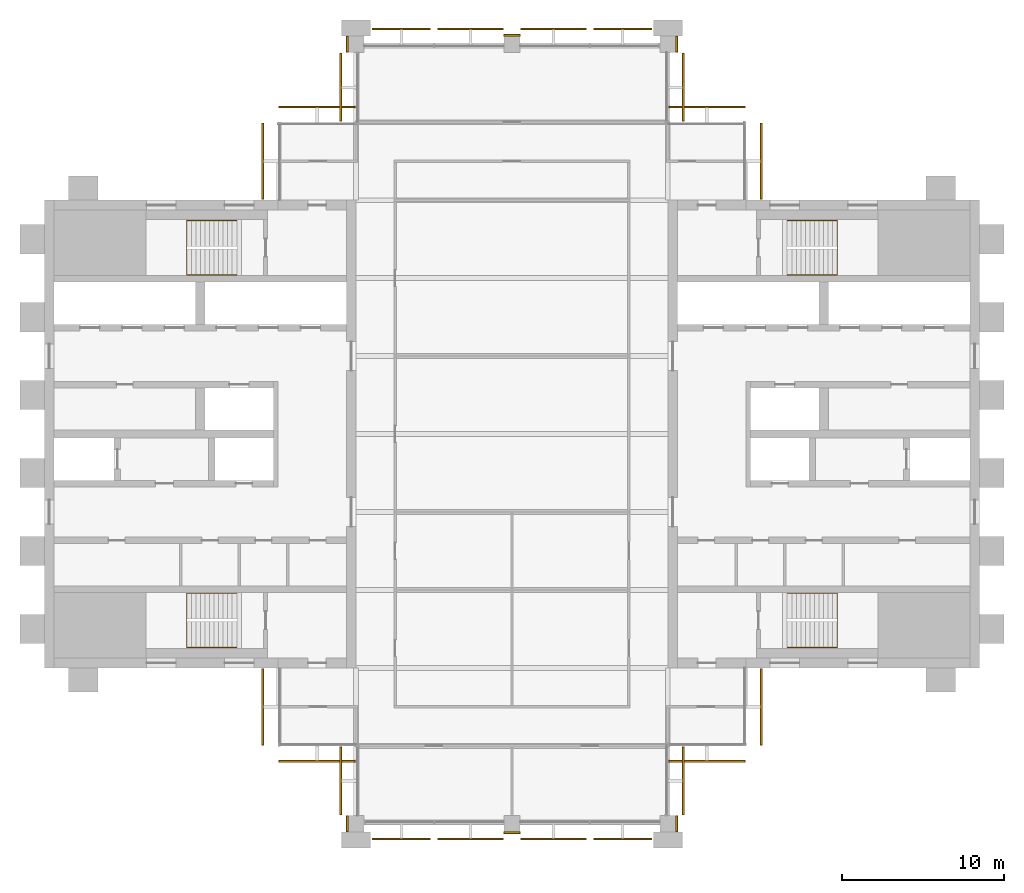
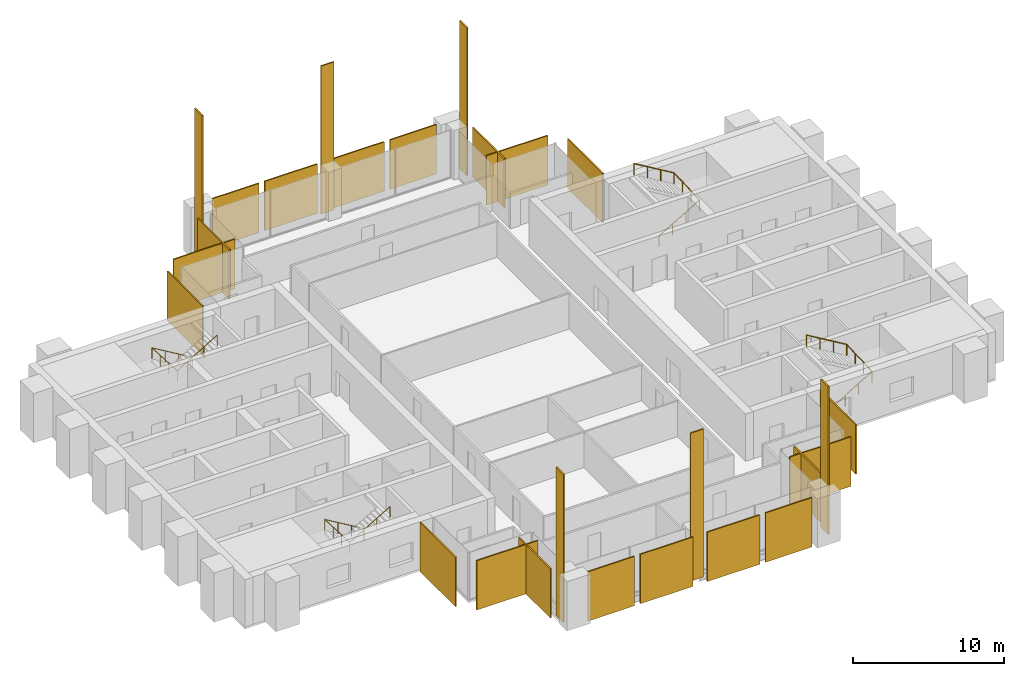
# One storey, part 12 of 12: 26 coverings, 4 railings.
"""IFC4 building model written with IfcOpenShell, lengths in metres."""

from ifc_helpers import new_model, si_unit, direction, frame, origin, origin_2d, place, context, subcontext, project, spatial, polyline, rectangle, circle, outline, extrude, material, layer, layer_set, type_object, element, save


model = new_model("IFC4")

# Units and contexts
model_context = context("Model", 3, precision=1e-05, world=origin(), true_north=direction((0.0, 1.0)))
body_context = subcontext(model_context, "Body", "Model", "MODEL_VIEW")
ifc_project = project(units=[si_unit("LENGTHUNIT", "METRE"), si_unit("AREAUNIT", "SQUARE_METRE"), si_unit("VOLUMEUNIT", "CUBIC_METRE"), si_unit("PLANEANGLEUNIT", "RADIAN"), si_unit("MASSUNIT", "GRAM", prefix="KILO")], contexts=[model_context])

# Site, building, storey
site_placement = place(None, origin())
site = spatial("IfcSite", under=ifc_project, at=site_placement, CompositionType="ELEMENT")
building_placement = place(site_placement, origin())
building = spatial("IfcBuilding", under=site, at=building_placement, Name="Baori Bourse Tower", CompositionType="ELEMENT")
storey_placement = place(building_placement, frame((0.0, 0.0, 342.300048828125)))
storey = spatial("IfcBuildingStorey", under=building, at=storey_placement, Name="L76", CompositionType="ELEMENT", Elevation=342.300048828125)

# Railings
ifc_material_1 = material(Name="Powder-coated steel balustrade", Category="steel")
railing_type = type_object("IfcRailingType", Name="Core stair handrail", PredefinedType="HANDRAIL", material=ifc_material_1)
railing_1_placement = place(storey_placement, frame((11.85009765625, 14.199951171875, 0.16650390625)))
element("IfcRailing", 1, at=railing_1_placement, inside=storey, type_object=railing_type, Name="L76 ST1 stair handrail 1", PredefinedType="HANDRAIL", context=body_context, shape_type="SweptSolid", body=[
    extrude(circle(Radius=0.02392578125, at=origin_2d()), frame((0.0, 0.0, 0.8759765625), z_axis=(-0.85927862911, 0.0, 0.511507807912), x_axis=(0.0, -1.0, 0.0)), (0.0, 0.0, 1.0), 3.58447265625),
    extrude(circle(Radius=0.02392578125, at=origin_2d()), frame((-3.080078125, 0.0, 2.70947265625), z_axis=(0.0, -0.998766999029, 0.049643545903), x_axis=(1.0, 0.0, 0.0)), (0.0, 0.0, 1.0), 3.35400390625),
    extrude(circle(Radius=0.02392578125, at=origin_2d()), frame((-3.080078125, -3.349853515625, 2.8759765625), z_axis=(0.85927862911, 0.0, 0.511507807912), x_axis=(0.0, 1.0, 0.0)), (0.0, 0.0, 1.0), 3.58447265625),
    extrude(circle(Radius=0.02099609375, at=origin_2d()), origin(), (0.0, 0.0, 1.0), 0.851806640625),
    extrude(circle(Radius=0.02099609375, at=origin_2d()), frame((-1.026611328125, 0.0, 0.611083984375)), (0.0, 0.0, 1.0), 0.851806640625),
    extrude(circle(Radius=0.02099609375, at=origin_2d()), frame((-2.053466796875, 0.0, 1.222412109375)), (0.0, 0.0, 1.0), 0.851806640625),
    extrude(circle(Radius=0.02099609375, at=origin_2d()), frame((-3.080078125, 0.0, 1.83349609375)), (0.0, 0.0, 1.0), 0.851806640625),
    extrude(circle(Radius=0.02099609375, at=origin_2d()), frame((-3.080078125, -1.11669921875, 1.888916015625)), (0.0, 0.0, 1.0), 0.851806640625),
    extrude(circle(Radius=0.02099609375, at=origin_2d()), frame((-3.080078125, -2.233154296875, 1.944580078125)), (0.0, 0.0, 1.0), 0.851806640625),
    extrude(circle(Radius=0.02099609375, at=origin_2d()), frame((-3.080078125, -3.349853515625, 2.0)), (0.0, 0.0, 1.0), 0.851806640625),
    extrude(circle(Radius=0.02099609375, at=origin_2d()), frame((-2.053466796875, -3.349853515625, 2.611083984375)), (0.0, 0.0, 1.0), 0.851806640625),
    extrude(circle(Radius=0.02099609375, at=origin_2d()), frame((-1.026611328125, -3.349853515625, 3.222412109375)), (0.0, 0.0, 1.0), 0.851806640625),
    extrude(circle(Radius=0.02099609375, at=origin_2d()), frame((0.0, -3.349853515625, 3.83349609375)), (0.0, 0.0, 1.0), 0.851806640625),
])
railing_2_placement = place(storey_placement, frame((11.85009765625, 37.14990234375, 0.16650390625)))
element("IfcRailing", 2, at=railing_2_placement, inside=storey, type_object=railing_type, Name="L76 ST2 stair handrail 1", PredefinedType="HANDRAIL", context=body_context, shape_type="SweptSolid", body=[
    extrude(circle(Radius=0.02392578125, at=origin_2d()), frame((0.0, 0.0, 0.8759765625), z_axis=(-0.85927862911, 0.0, 0.511507807912), x_axis=(0.0, -1.0, 0.0)), (0.0, 0.0, 1.0), 3.58447265625),
    extrude(circle(Radius=0.02392578125, at=origin_2d()), frame((-3.080078125, 0.0, 2.70947265625), z_axis=(0.0, -0.998766999029, 0.049643545903), x_axis=(1.0, 0.0, 0.0)), (0.0, 0.0, 1.0), 3.35400390625),
    extrude(circle(Radius=0.02392578125, at=origin_2d()), frame((-3.080078125, -3.349853515625, 2.8759765625), z_axis=(0.85927862911, 0.0, 0.511507807912), x_axis=(0.0, 1.0, 0.0)), (0.0, 0.0, 1.0), 3.58447265625),
    extrude(circle(Radius=0.02099609375, at=origin_2d()), origin(), (0.0, 0.0, 1.0), 0.851806640625),
    extrude(circle(Radius=0.02099609375, at=origin_2d()), frame((-1.026611328125, 0.0, 0.611083984375)), (0.0, 0.0, 1.0), 0.851806640625),
    extrude(circle(Radius=0.02099609375, at=origin_2d()), frame((-2.053466796875, 0.0, 1.222412109375)), (0.0, 0.0, 1.0), 0.851806640625),
    extrude(circle(Radius=0.02099609375, at=origin_2d()), frame((-3.080078125, 0.0, 1.83349609375)), (0.0, 0.0, 1.0), 0.851806640625),
    extrude(circle(Radius=0.02099609375, at=origin_2d()), frame((-3.080078125, -1.11669921875, 1.888916015625)), (0.0, 0.0, 1.0), 0.851806640625),
    extrude(circle(Radius=0.02099609375, at=origin_2d()), frame((-3.080078125, -2.233154296875, 1.944580078125)), (0.0, 0.0, 1.0), 0.851806640625),
    extrude(circle(Radius=0.02099609375, at=origin_2d()), frame((-3.080078125, -3.349853515625, 2.0)), (0.0, 0.0, 1.0), 0.851806640625),
    extrude(circle(Radius=0.02099609375, at=origin_2d()), frame((-2.053466796875, -3.349853515625, 2.611083984375)), (0.0, 0.0, 1.0), 0.851806640625),
    extrude(circle(Radius=0.02099609375, at=origin_2d()), frame((-1.026611328125, -3.349853515625, 3.222412109375)), (0.0, 0.0, 1.0), 0.851806640625),
    extrude(circle(Radius=0.02099609375, at=origin_2d()), frame((0.0, -3.349853515625, 3.83349609375)), (0.0, 0.0, 1.0), 0.851806640625),
])
railing_3_placement = place(storey_placement, frame((45.75, 10.85009765625, 0.16650390625)))
element("IfcRailing", 3, at=railing_3_placement, inside=storey, type_object=railing_type, Name="L76 ST3 stair handrail 1", PredefinedType="HANDRAIL", context=body_context, shape_type="SweptSolid", body=[
    extrude(circle(Radius=0.02392578125, at=origin_2d()), frame((0.0, 0.0, 0.8759765625), z_axis=(0.85927862911, 0.0, 0.511507807912), x_axis=(0.0, 1.0, 0.0)), (0.0, 0.0, 1.0), 3.58447265625),
    extrude(circle(Radius=0.02392578125, at=origin_2d()), frame((3.080078125, 0.0, 2.70947265625), z_axis=(0.0, 0.998766999029, 0.049643545903), x_axis=(-1.0, 0.0, 0.0)), (0.0, 0.0, 1.0), 3.35400390625),
    extrude(circle(Radius=0.02392578125, at=origin_2d()), frame((3.080078125, 3.349853515625, 2.8759765625), z_axis=(-0.85927862911, 0.0, 0.511507807912), x_axis=(0.0, -1.0, 0.0)), (0.0, 0.0, 1.0), 3.58447265625),
    extrude(circle(Radius=0.02099609375, at=origin_2d()), origin(), (0.0, 0.0, 1.0), 0.851806640625),
    extrude(circle(Radius=0.02099609375, at=origin_2d()), frame((1.026611328125, 0.0, 0.611083984375)), (0.0, 0.0, 1.0), 0.851806640625),
    extrude(circle(Radius=0.02099609375, at=origin_2d()), frame((2.053466796875, 0.0, 1.222412109375)), (0.0, 0.0, 1.0), 0.851806640625),
    extrude(circle(Radius=0.02099609375, at=origin_2d()), frame((3.080078125, 0.0, 1.83349609375)), (0.0, 0.0, 1.0), 0.851806640625),
    extrude(circle(Radius=0.02099609375, at=origin_2d()), frame((3.080078125, 1.11669921875, 1.888916015625)), (0.0, 0.0, 1.0), 0.851806640625),
    extrude(circle(Radius=0.02099609375, at=origin_2d()), frame((3.080078125, 2.233154296875, 1.944580078125)), (0.0, 0.0, 1.0), 0.851806640625),
    extrude(circle(Radius=0.02099609375, at=origin_2d()), frame((3.080078125, 3.349853515625, 2.0)), (0.0, 0.0, 1.0), 0.851806640625),
    extrude(circle(Radius=0.02099609375, at=origin_2d()), frame((2.053466796875, 3.349853515625, 2.611083984375)), (0.0, 0.0, 1.0), 0.851806640625),
    extrude(circle(Radius=0.02099609375, at=origin_2d()), frame((1.026611328125, 3.349853515625, 3.222412109375)), (0.0, 0.0, 1.0), 0.851806640625),
    extrude(circle(Radius=0.02099609375, at=origin_2d()), frame((0.0, 3.349853515625, 3.83349609375)), (0.0, 0.0, 1.0), 0.851806640625),
])
railing_4_placement = place(storey_placement, frame((45.75, 33.800048828125, 0.16650390625)))
element("IfcRailing", 4, at=railing_4_placement, inside=storey, type_object=railing_type, Name="L76 ST4 stair handrail 1", PredefinedType="HANDRAIL", context=body_context, shape_type="SweptSolid", body=[
    extrude(circle(Radius=0.02392578125, at=origin_2d()), frame((0.0, 0.0, 0.8759765625), z_axis=(0.85927862911, 0.0, 0.511507807912), x_axis=(0.0, 1.0, 0.0)), (0.0, 0.0, 1.0), 3.58447265625),
    extrude(circle(Radius=0.02392578125, at=origin_2d()), frame((3.080078125, 0.0, 2.70947265625), z_axis=(0.0, 0.998766999029, 0.049643545903), x_axis=(-1.0, 0.0, 0.0)), (0.0, 0.0, 1.0), 3.35400390625),
    extrude(circle(Radius=0.02392578125, at=origin_2d()), frame((3.080078125, 3.349853515625, 2.8759765625), z_axis=(-0.85927862911, 0.0, 0.511507807912), x_axis=(0.0, -1.0, 0.0)), (0.0, 0.0, 1.0), 3.58447265625),
    extrude(circle(Radius=0.02099609375, at=origin_2d()), origin(), (0.0, 0.0, 1.0), 0.851806640625),
    extrude(circle(Radius=0.02099609375, at=origin_2d()), frame((1.026611328125, 0.0, 0.611083984375)), (0.0, 0.0, 1.0), 0.851806640625),
    extrude(circle(Radius=0.02099609375, at=origin_2d()), frame((2.053466796875, 0.0, 1.222412109375)), (0.0, 0.0, 1.0), 0.851806640625),
    extrude(circle(Radius=0.02099609375, at=origin_2d()), frame((3.080078125, 0.0, 1.83349609375)), (0.0, 0.0, 1.0), 0.851806640625),
    extrude(circle(Radius=0.02099609375, at=origin_2d()), frame((3.080078125, 1.11669921875, 1.888916015625)), (0.0, 0.0, 1.0), 0.851806640625),
    extrude(circle(Radius=0.02099609375, at=origin_2d()), frame((3.080078125, 2.233154296875, 1.944580078125)), (0.0, 0.0, 1.0), 0.851806640625),
    extrude(circle(Radius=0.02099609375, at=origin_2d()), frame((3.080078125, 3.349853515625, 2.0)), (0.0, 0.0, 1.0), 0.851806640625),
    extrude(circle(Radius=0.02099609375, at=origin_2d()), frame((2.053466796875, 3.349853515625, 2.611083984375)), (0.0, 0.0, 1.0), 0.851806640625),
    extrude(circle(Radius=0.02099609375, at=origin_2d()), frame((1.026611328125, 3.349853515625, 3.222412109375)), (0.0, 0.0, 1.0), 0.851806640625),
    extrude(circle(Radius=0.02099609375, at=origin_2d()), frame((0.0, 3.349853515625, 3.83349609375)), (0.0, 0.0, 1.0), 0.851806640625),
])

# Coverings
ifc_material_2 = material(Name="Pale anodised aluminium", Category="aluminium")
ifc_layer_1 = layer(ifc_material_2, 0.10009765625)
ifc_layer_set_1 = layer_set([ifc_layer_1], Name="OS3 Outer skin screen panel")
covering_type_1 = type_object("IfcCoveringType", Name="OS3 Outer skin screen panel", PredefinedType="CLADDING", material=ifc_layer_set_1)
covering_1_placement = place(storey_placement, frame((0.0, 0.0, -0.16015625)))
element("IfcCovering", 5, at=covering_1_placement, inside=storey, type_object=covering_type_1, Name="Outer skin screen L76 1", PredefinedType="CLADDING", context=body_context, shape_type="SweptSolid", body=[
    extrude(outline(polyline([(44.10009765625, 43.14990234375), (44.10009765625, 38.449951171875), (44.199951171875, 38.449951171875), (44.199951171875, 43.14990234375), (44.10009765625, 43.14990234375)])), origin(), (0.0, 0.0, 1.0), 4.0),
])
covering_2_placement = place(storey_placement, frame((0.0, 0.0, -0.16015625)))
element("IfcCovering", 6, at=covering_2_placement, inside=storey, type_object=covering_type_1, Name="Outer skin screen L76 2", PredefinedType="CLADDING", context=body_context, shape_type="SweptSolid", body=[
    extrude(outline(polyline([(38.449951171875, 44.10009765625), (43.14990234375, 44.10009765625), (43.14990234375, 44.199951171875), (38.449951171875, 44.199951171875), (38.449951171875, 44.10009765625)])), origin(), (0.0, 0.0, 1.0), 4.0),
])
covering_3_placement = place(storey_placement, frame((0.0, 0.0, -0.16015625)))
element("IfcCovering", 7, at=covering_3_placement, inside=storey, type_object=covering_type_1, Name="Outer skin screen L76 3", PredefinedType="CLADDING", context=body_context, shape_type="SweptSolid", body=[
    extrude(outline(polyline([(39.300048828125, 47.449951171875), (39.300048828125, 43.25), (39.39990234375, 43.25), (39.39990234375, 47.449951171875), (39.300048828125, 47.449951171875)])), origin(), (0.0, 0.0, 1.0), 4.0),
])
covering_4_placement = place(storey_placement, frame((0.0, 0.0, -0.16015625)))
element("IfcCovering", 8, at=covering_4_placement, inside=storey, type_object=covering_type_1, Name="Outer skin screen L76 4", PredefinedType="CLADDING", context=body_context, shape_type="SweptSolid", body=[
    extrude(outline(polyline([(33.824951171875, 48.89990234375), (37.39990234375, 48.89990234375), (37.39990234375, 49.0), (33.824951171875, 49.0), (33.824951171875, 48.89990234375)])), origin(), (0.0, 0.0, 1.0), 4.0),
])
covering_5_placement = place(storey_placement, frame((0.0, 0.0, -0.16015625)))
element("IfcCovering", 9, at=covering_5_placement, inside=storey, type_object=covering_type_1, Name="Outer skin screen L76 5", PredefinedType="CLADDING", context=body_context, shape_type="SweptSolid", body=[
    extrude(outline(polyline([(29.35009765625, 48.89990234375), (33.375, 48.89990234375), (33.375, 49.0), (29.35009765625, 49.0), (29.35009765625, 48.89990234375)])), origin(), (0.0, 0.0, 1.0), 4.0),
])
covering_6_placement = place(storey_placement, frame((0.0, 0.0, -0.16015625)))
element("IfcCovering", 10, at=covering_6_placement, inside=storey, type_object=covering_type_1, Name="Outer skin screen L76 6", PredefinedType="CLADDING", context=body_context, shape_type="SweptSolid", body=[
    extrude(outline(polyline([(24.22509765625, 48.89990234375), (28.25, 48.89990234375), (28.25, 49.0), (24.22509765625, 49.0), (24.22509765625, 48.89990234375)])), origin(), (0.0, 0.0, 1.0), 4.0),
])
covering_7_placement = place(storey_placement, frame((0.0, 0.0, -0.16015625)))
element("IfcCovering", 11, at=covering_7_placement, inside=storey, type_object=covering_type_1, Name="Outer skin screen L76 7", PredefinedType="CLADDING", context=body_context, shape_type="SweptSolid", body=[
    extrude(outline(polyline([(20.199951171875, 48.89990234375), (23.77490234375, 48.89990234375), (23.77490234375, 49.0), (20.199951171875, 49.0), (20.199951171875, 48.89990234375)])), origin(), (0.0, 0.0, 1.0), 4.0),
])
covering_8_placement = place(storey_placement, frame((0.0, 0.0, -0.16015625)))
element("IfcCovering", 12, at=covering_8_placement, inside=storey, type_object=covering_type_1, Name="Outer skin screen L76 8", PredefinedType="CLADDING", context=body_context, shape_type="SweptSolid", body=[
    extrude(outline(polyline([(18.300048828125, 43.25), (18.300048828125, 47.449951171875), (18.199951171875, 47.449951171875), (18.199951171875, 43.25), (18.300048828125, 43.25)])), origin(), (0.0, 0.0, 1.0), 4.0),
])
covering_9_placement = place(storey_placement, frame((0.0, 0.0, -0.16015625)))
element("IfcCovering", 13, at=covering_9_placement, inside=storey, type_object=covering_type_1, Name="Outer skin screen L76 9", PredefinedType="CLADDING", context=body_context, shape_type="SweptSolid", body=[
    extrude(outline(polyline([(14.449951171875, 44.10009765625), (19.14990234375, 44.10009765625), (19.14990234375, 44.199951171875), (14.449951171875, 44.199951171875), (14.449951171875, 44.10009765625)])), origin(), (0.0, 0.0, 1.0), 4.0),
])
covering_10_placement = place(storey_placement, frame((0.0, 0.0, -0.16015625)))
element("IfcCovering", 14, at=covering_10_placement, inside=storey, type_object=covering_type_1, Name="Outer skin screen L76 10", PredefinedType="CLADDING", context=body_context, shape_type="SweptSolid", body=[
    extrude(outline(polyline([(13.5, 38.449951171875), (13.5, 43.14990234375), (13.39990234375, 43.14990234375), (13.39990234375, 38.449951171875), (13.5, 38.449951171875)])), origin(), (0.0, 0.0, 1.0), 4.0),
])
covering_11_placement = place(storey_placement, frame((0.0, 0.0, -0.16015625)))
element("IfcCovering", 15, at=covering_11_placement, inside=storey, type_object=covering_type_1, Name="Outer skin screen L76 11", PredefinedType="CLADDING", context=body_context, shape_type="SweptSolid", body=[
    extrude(outline(polyline([(13.5, 4.85009765625), (13.5, 9.550048828125), (13.39990234375, 9.550048828125), (13.39990234375, 4.85009765625), (13.5, 4.85009765625)])), origin(), (0.0, 0.0, 1.0), 4.0),
])
covering_12_placement = place(storey_placement, frame((0.0, 0.0, -0.16015625)))
element("IfcCovering", 16, at=covering_12_placement, inside=storey, type_object=covering_type_1, Name="Outer skin screen L76 12", PredefinedType="CLADDING", context=body_context, shape_type="SweptSolid", body=[
    extrude(outline(polyline([(19.14990234375, 3.89990234375), (14.449951171875, 3.89990234375), (14.449951171875, 3.800048828125), (19.14990234375, 3.800048828125), (19.14990234375, 3.89990234375)])), origin(), (0.0, 0.0, 1.0), 4.0),
])
covering_13_placement = place(storey_placement, frame((0.0, 0.0, -0.16015625)))
element("IfcCovering", 17, at=covering_13_placement, inside=storey, type_object=covering_type_1, Name="Outer skin screen L76 13", PredefinedType="CLADDING", context=body_context, shape_type="SweptSolid", body=[
    extrude(outline(polyline([(18.300048828125, 0.550048828125), (18.300048828125, 4.75), (18.199951171875, 4.75), (18.199951171875, 0.550048828125), (18.300048828125, 0.550048828125)])), origin(), (0.0, 0.0, 1.0), 4.0),
])
covering_14_placement = place(storey_placement, frame((0.0, 0.0, -0.16015625)))
element("IfcCovering", 18, at=covering_14_placement, inside=storey, type_object=covering_type_1, Name="Outer skin screen L76 14", PredefinedType="CLADDING", context=body_context, shape_type="SweptSolid", body=[
    extrude(outline(polyline([(23.77490234375, -0.89990234375), (20.199951171875, -0.89990234375), (20.199951171875, -1.0), (23.77490234375, -1.0), (23.77490234375, -0.89990234375)])), origin(), (0.0, 0.0, 1.0), 4.0),
])
covering_15_placement = place(storey_placement, frame((0.0, 0.0, -0.16015625)))
element("IfcCovering", 19, at=covering_15_placement, inside=storey, type_object=covering_type_1, Name="Outer skin screen L76 15", PredefinedType="CLADDING", context=body_context, shape_type="SweptSolid", body=[
    extrude(outline(polyline([(28.25, -0.89990234375), (24.22509765625, -0.89990234375), (24.22509765625, -1.0), (28.25, -1.0), (28.25, -0.89990234375)])), origin(), (0.0, 0.0, 1.0), 4.0),
])
covering_16_placement = place(storey_placement, frame((0.0, 0.0, -0.16015625)))
element("IfcCovering", 20, at=covering_16_placement, inside=storey, type_object=covering_type_1, Name="Outer skin screen L76 16", PredefinedType="CLADDING", context=body_context, shape_type="SweptSolid", body=[
    extrude(outline(polyline([(33.375, -0.89990234375), (29.35009765625, -0.89990234375), (29.35009765625, -1.0), (33.375, -1.0), (33.375, -0.89990234375)])), origin(), (0.0, 0.0, 1.0), 4.0),
])
covering_17_placement = place(storey_placement, frame((0.0, 0.0, -0.16015625)))
element("IfcCovering", 21, at=covering_17_placement, inside=storey, type_object=covering_type_1, Name="Outer skin screen L76 17", PredefinedType="CLADDING", context=body_context, shape_type="SweptSolid", body=[
    extrude(outline(polyline([(37.39990234375, -0.89990234375), (33.824951171875, -0.89990234375), (33.824951171875, -1.0), (37.39990234375, -1.0), (37.39990234375, -0.89990234375)])), origin(), (0.0, 0.0, 1.0), 4.0),
])
covering_18_placement = place(storey_placement, frame((0.0, 0.0, -0.16015625)))
element("IfcCovering", 22, at=covering_18_placement, inside=storey, type_object=covering_type_1, Name="Outer skin screen L76 18", PredefinedType="CLADDING", context=body_context, shape_type="SweptSolid", body=[
    extrude(outline(polyline([(39.300048828125, 4.75), (39.300048828125, 0.550048828125), (39.39990234375, 0.550048828125), (39.39990234375, 4.75), (39.300048828125, 4.75)])), origin(), (0.0, 0.0, 1.0), 4.0),
])
covering_19_placement = place(storey_placement, frame((0.0, 0.0, -0.16015625)))
element("IfcCovering", 23, at=covering_19_placement, inside=storey, type_object=covering_type_1, Name="Outer skin screen L76 19", PredefinedType="CLADDING", context=body_context, shape_type="SweptSolid", body=[
    extrude(outline(polyline([(43.14990234375, 3.89990234375), (38.449951171875, 3.89990234375), (38.449951171875, 3.800048828125), (43.14990234375, 3.800048828125), (43.14990234375, 3.89990234375)])), origin(), (0.0, 0.0, 1.0), 4.0),
])
covering_20_placement = place(storey_placement, frame((0.0, 0.0, -0.16015625)))
element("IfcCovering", 24, at=covering_20_placement, inside=storey, type_object=covering_type_1, Name="Outer skin screen L76 20", PredefinedType="CLADDING", context=body_context, shape_type="SweptSolid", body=[
    extrude(outline(polyline([(44.10009765625, 9.550048828125), (44.10009765625, 4.85009765625), (44.199951171875, 4.85009765625), (44.199951171875, 9.550048828125), (44.10009765625, 9.550048828125)])), origin(), (0.0, 0.0, 1.0), 4.0),
])
ifc_material_3 = material(Name="Face brick", Category="masonry")
ifc_layer_2 = layer(ifc_material_3, 0.110107421875)
ifc_layer_set_2 = layer_set([ifc_layer_2], Name="PC1 Brick pier facing")
covering_type_2 = type_object("IfcCoveringType", Name="PC1 Brick pier facing", PredefinedType="CLADDING", material=ifc_layer_set_2)
covering_21_placement = place(storey_placement, frame((18.64501953125, 0.0, 0.0), z_axis=(0.0, 0.0, 1.0), x_axis=(1.0, 0.0, 0.0)))
element("IfcCovering", 25, at=covering_21_placement, inside=storey, type_object=covering_type_2, Name="Brick pier facing L76 1", PredefinedType="CLADDING", context=body_context, shape_type="SweptSolid", body=[
    extrude(rectangle(XDim=0.110107421875, YDim=1.0, at=origin_2d()), origin(), (0.0, 0.0, 1.0), 12.0),
])
covering_22_placement = place(storey_placement, frame((28.800048828125, -0.554931640625, 0.0), z_axis=(0.0, 0.0, 1.0), x_axis=(1.0, 0.0, 0.0)))
element("IfcCovering", 26, at=covering_22_placement, inside=storey, type_object=covering_type_2, Name="Brick pier facing L76 2", PredefinedType="CLADDING", context=body_context, shape_type="SweptSolid", body=[
    extrude(rectangle(XDim=1.0, YDim=0.110107421875, at=origin_2d()), origin(), (0.0, 0.0, 1.0), 12.0),
])
for number, where, z_axis, x_axis, name in (
    (27, (38.955078125, 0.0, 0.0), (0.0, 0.0, 1.0), (1.0, 0.0, 0.0), "Brick pier facing L76 3"),
    (28, (18.64501953125, 48.0, 0.0), (0.0, 0.0, 1.0), (1.0, 0.0, 0.0), "Brick pier facing L76 4"),
):
    element("IfcCovering", number, at=place(storey_placement, frame(where, z_axis=z_axis, x_axis=x_axis)), inside=storey, type_object=covering_type_2, Name=name, PredefinedType="CLADDING", context=body_context, shape_type="SweptSolid", body=[
        extrude(rectangle(XDim=0.110107421875, YDim=1.0, at=origin_2d()), origin(), (0.0, 0.0, 1.0), 12.0),
    ])
covering_23_placement = place(storey_placement, frame((28.800048828125, 48.554931640625, 0.0), z_axis=(0.0, 0.0, 1.0), x_axis=(1.0, 0.0, 0.0)))
element("IfcCovering", 29, at=covering_23_placement, inside=storey, type_object=covering_type_2, Name="Brick pier facing L76 5", PredefinedType="CLADDING", context=body_context, shape_type="SweptSolid", body=[
    extrude(rectangle(XDim=1.0, YDim=0.110107421875, at=origin_2d()), origin(), (0.0, 0.0, 1.0), 12.0),
])
covering_24_placement = place(storey_placement, frame((38.955078125, 48.0, 0.0), z_axis=(0.0, 0.0, 1.0), x_axis=(1.0, 0.0, 0.0)))
element("IfcCovering", 30, at=covering_24_placement, inside=storey, type_object=covering_type_2, Name="Brick pier facing L76 6", PredefinedType="CLADDING", context=body_context, shape_type="SweptSolid", body=[
    extrude(rectangle(XDim=0.110107421875, YDim=1.0, at=origin_2d()), origin(), (0.0, 0.0, 1.0), 12.0),
])

save(model, "model.ifc")
